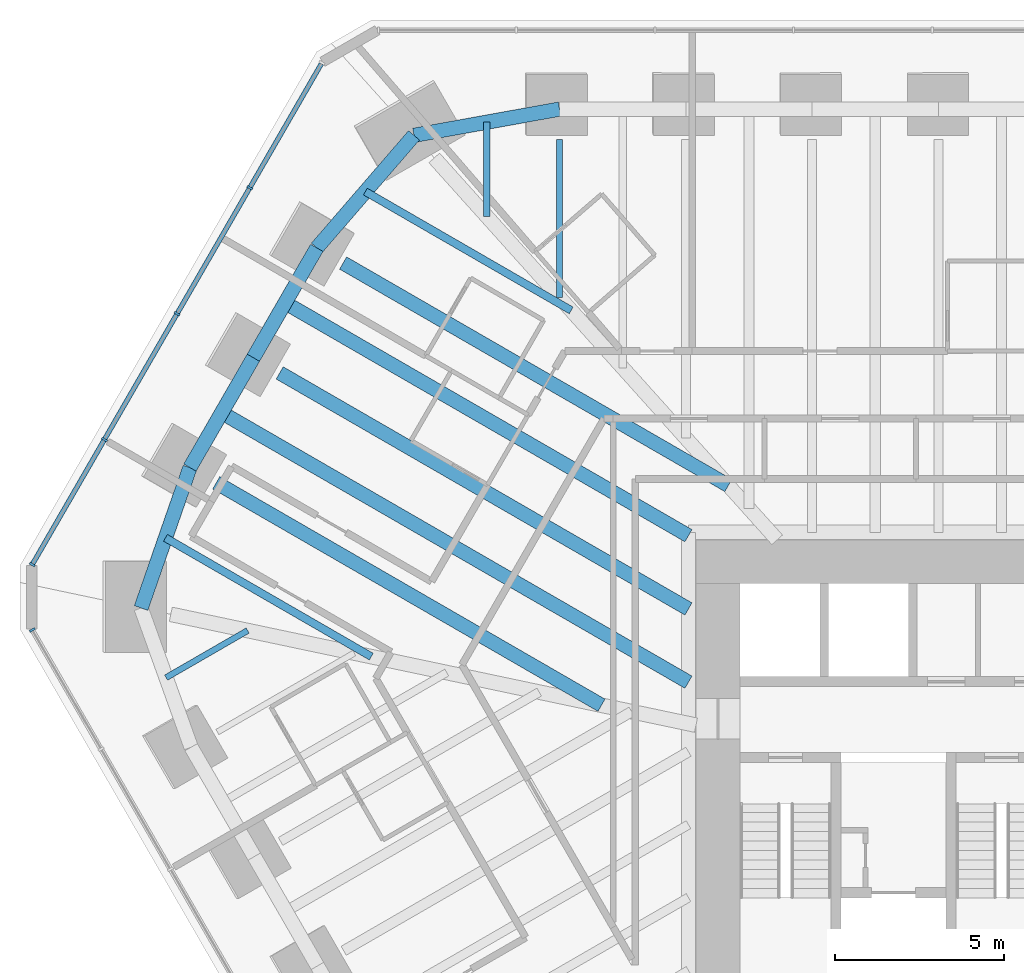
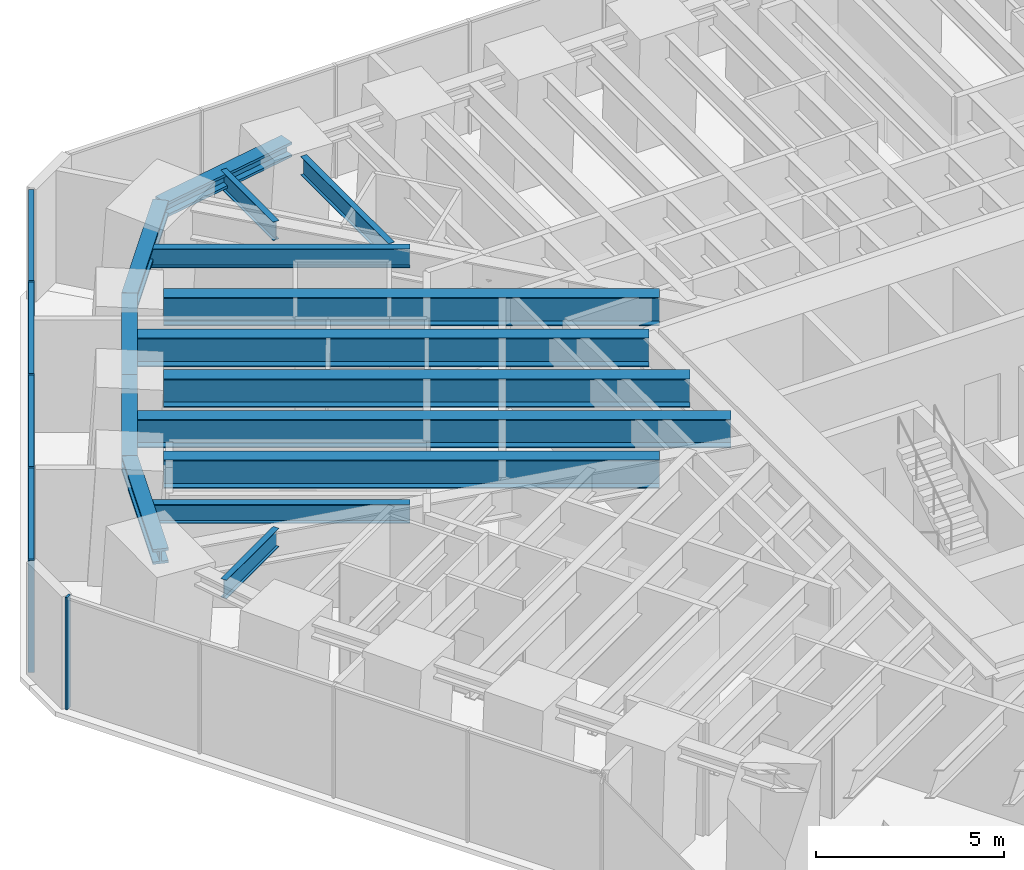
# One storey, part 7 of 17: 15 beams, 9 members, 2 elements without a shape of their own.
"""IFC4 building model written with IfcOpenShell, lengths in metres."""

from ifc_helpers import new_model, si_unit, direction, frame, origin, origin_2d, place, context, subcontext, project, spatial, rectangle, i_section, extrude, material, material_profile, profile_set, type_object, element, aggregate, save


model = new_model("IFC4")

# Units and contexts
model_context = context("Model", 3, precision=1e-05, world=origin(), true_north=direction((0.0, 1.0)))
body_context = subcontext(model_context, "Body", "Model", "MODEL_VIEW")
ifc_project = project(units=[si_unit("LENGTHUNIT", "METRE"), si_unit("AREAUNIT", "SQUARE_METRE"), si_unit("VOLUMEUNIT", "CUBIC_METRE"), si_unit("PLANEANGLEUNIT", "RADIAN"), si_unit("MASSUNIT", "GRAM", prefix="KILO")], contexts=[model_context])

# Site, building, storey
site_placement = place(None, origin())
site = spatial("IfcSite", under=ifc_project, at=site_placement, CompositionType="ELEMENT")
building_placement = place(site_placement, origin())
building = spatial("IfcBuilding", under=site, at=building_placement, Name="Sandreach Pilgrim Tower", CompositionType="ELEMENT")
storey_placement = place(building_placement, frame((0.0, 0.0, 169.0)))
storey = spatial("IfcBuildingStorey", under=building, at=storey_placement, Name="L42", CompositionType="ELEMENT", Elevation=169.0)

# Beams
ifc_material_1 = material(Name="Steel ASTM A913 Grade 65", Category="steel")
ifc_material_profile_1 = material_profile(ifc_material_1, i_section(OverallWidth=0.4267578125, OverallDepth=0.482666015625, WebThickness=0.05126953125, FlangeThickness=0.08154296875, at=origin_2d()), Name="W14X455")
ifc_profile_set_1 = profile_set([ifc_material_profile_1], Name="Steel ASTM A913 Grade 65")
beam_type_1 = type_object("IfcBeamType", Name="Belt truss chord W14X455", PredefinedType="BEAM", material=ifc_profile_set_1)
beam_1_placement = place(storey_placement, frame((-25.482177734375, 5.380126953125, 3.398681640625), z_axis=(0.328610955688, 0.944465372474, 0.0), x_axis=(-0.944465372474, 0.328610955688, 0.0)))
element("IfcBeam", 1, at=beam_1_placement, inside=storey, type_object=beam_type_1, Name="BM L42 BTB35", PredefinedType="BEAM", context=body_context, shape_type="SweptSolid", body=[
    extrude(i_section(OverallWidth=0.4267578125, OverallDepth=0.482666015625, WebThickness=0.05126953125, FlangeThickness=0.08154296875, at=origin_2d()), origin(), (0.0, 0.0, 1.0), 4.402587890625),
])
for number, where, z_axis, x_axis, name in (
    (2, (-24.035400390625, 9.538330078125, 3.398681640625), (0.50000368483, 0.866023276337, 0.0), (-0.866023276337, 0.50000368483, 0.0), "BM L42 BTB36"),
    (3, (-22.15673828125, 12.792236328125, 3.398681640625), (0.50000368483, 0.866023276337, 0.0), (-0.866023276337, 0.50000368483, 0.0), "BM L42 BTB37"),
):
    element("IfcBeam", number, at=place(storey_placement, frame(where, z_axis=z_axis, x_axis=x_axis)), inside=storey, type_object=beam_type_1, Name=name, PredefinedType="BEAM", context=body_context, shape_type="SweptSolid", body=[
        extrude(i_section(OverallWidth=0.4267578125, OverallDepth=0.482666015625, WebThickness=0.05126953125, FlangeThickness=0.08154296875, at=origin_2d()), origin(), (0.0, 0.0, 1.0), 3.75732421875),
    ])
beam_2_placement = place(storey_placement, frame((-20.278076171875, 16.046142578125, 3.398681640625), z_axis=(0.653622757827, 0.756820514026, 0.0), x_axis=(-0.756820514026, 0.653622757827, 0.0)))
element("IfcBeam", 4, at=beam_2_placement, inside=storey, type_object=beam_type_1, Name="BM L42 BTB38", PredefinedType="BEAM", context=body_context, shape_type="SweptSolid", body=[
    extrude(i_section(OverallWidth=0.4267578125, OverallDepth=0.482666015625, WebThickness=0.05126953125, FlangeThickness=0.08154296875, at=origin_2d()), origin(), (0.0, 0.0, 1.0), 4.402587890625),
])
beam_3_placement = place(storey_placement, frame((-17.400390625, 19.378173828125, 3.398681640625), z_axis=(0.984127496172, 0.177462872958, 0.0), x_axis=(-0.177462872958, 0.984127496172, 0.0)))
element("IfcBeam", 5, at=beam_3_placement, inside=storey, type_object=beam_type_1, Name="BM L42 BTB39", PredefinedType="BEAM", context=body_context, shape_type="SweptSolid", body=[
    extrude(i_section(OverallWidth=0.4267578125, OverallDepth=0.482666015625, WebThickness=0.05126953125, FlangeThickness=0.08154296875, at=origin_2d()), origin(), (0.0, 0.0, 1.0), 4.38037109375),
])

# Curtain wall, member
ifc_material_2 = material(Name="Aluminium framed curtain wall", Category="aluminium")
curtain_wall_type = type_object("IfcCurtainWallType", Name="Hotel tower curtain wall", PredefinedType="NOTDEFINED", material=ifc_material_2)
curtain_wall_1_placement = place(storey_placement, origin())
curtain_wall_1 = element("IfcCurtainWall", 6, at=curtain_wall_1_placement, inside=storey, type_object=curtain_wall_type, Name="CW-2 L42 SW", PredefinedType="NOTDEFINED")
ifc_material_3 = material(Name="Aluminium extrusion", Category="aluminium")
ifc_material_profile_2 = material_profile(ifc_material_3, rectangle(XDim=0.06494140625, YDim=0.179931640625, at=origin_2d()), Name="CW-2M 65X180")
ifc_profile_set_2 = profile_set([ifc_material_profile_2], Name="Aluminium extrusion")
member_type_1 = type_object("IfcMemberType", Name="CW-2 mullion", PredefinedType="MULLION", material=ifc_profile_set_2)
member_1_placement = place(storey_placement, frame((-28.70458984375, 4.730224609375, 0.0), z_axis=(0.0, 0.0, 1.0), x_axis=(-0.5, 0.866025403784, 0.0)))
member_1 = element("IfcMember", 7, at=member_1_placement, type_object=member_type_1, Name="CW-2 mullion 10", PredefinedType="MULLION", context=body_context, shape_type="SweptSolid", body=[
    extrude(rectangle(XDim=0.06494140625, YDim=0.179931640625, at=origin_2d()), origin(), (0.0, 0.0, 1.0), 3.639892578125),
])
aggregate(curtain_wall_1, [member_1])

# Curtain wall, members
curtain_wall_2_placement = place(storey_placement, origin())
curtain_wall_2 = element("IfcCurtainWall", 8, at=curtain_wall_2_placement, inside=storey, type_object=curtain_wall_type, Name="CW-2 L42 NW", PredefinedType="NOTDEFINED")
member_2_placement = place(storey_placement, frame((-28.70458984375, 6.66650390625, 0.0), z_axis=(0.0, 0.0, 1.0), x_axis=(0.5, 0.866025403784, 0.0)))
member_2 = element("IfcMember", 9, at=member_2_placement, type_object=member_type_1, Name="CW-2 mullion 1", PredefinedType="MULLION", context=body_context, shape_type="SweptSolid", body=[
    extrude(rectangle(XDim=0.06494140625, YDim=0.179931640625, at=origin_2d()), origin(), (0.0, 0.0, 1.0), 3.639892578125),
])
member_3_placement = place(storey_placement, frame((-26.568115234375, 10.3671875, 0.0), z_axis=(0.0, 0.0, 1.0), x_axis=(0.5, 0.866025403784, 0.0)))
member_3 = element("IfcMember", 10, at=member_3_placement, type_object=member_type_1, Name="CW-2 mullion 2", PredefinedType="MULLION", context=body_context, shape_type="SweptSolid", body=[
    extrude(rectangle(XDim=0.06494140625, YDim=0.179931640625, at=origin_2d()), origin(), (0.0, 0.0, 1.0), 3.639892578125),
])
member_4_placement = place(storey_placement, frame((-24.415283203125, 14.09619140625, 0.0), z_axis=(0.0, 0.0, 1.0), x_axis=(0.5, 0.866025403784, 0.0)))
member_4 = element("IfcMember", 11, at=member_4_placement, type_object=member_type_1, Name="CW-2 mullion 3", PredefinedType="MULLION", context=body_context, shape_type="SweptSolid", body=[
    extrude(rectangle(XDim=0.06494140625, YDim=0.179931640625, at=origin_2d()), origin(), (0.0, 0.0, 1.0), 3.639892578125),
])
member_5_placement = place(storey_placement, frame((-22.262451171875, 17.824951171875, 0.0), z_axis=(0.0, 0.0, 1.0), x_axis=(0.5, 0.866025403784, 0.0)))
member_5 = element("IfcMember", 12, at=member_5_placement, type_object=member_type_1, Name="CW-2 mullion 4", PredefinedType="MULLION", context=body_context, shape_type="SweptSolid", body=[
    extrude(rectangle(XDim=0.06494140625, YDim=0.179931640625, at=origin_2d()), origin(), (0.0, 0.0, 1.0), 3.639892578125),
])
ifc_material_4 = material(Name="Aluminium extrusion", Category="aluminium")
ifc_material_profile_3 = material_profile(ifc_material_4, rectangle(XDim=0.139892578125, YDim=0.070068359375, at=origin_2d()), Name="CW-2T 140X70")
ifc_profile_set_3 = profile_set([ifc_material_profile_3], Name="Aluminium extrusion")
member_type_2 = type_object("IfcMemberType", Name="CW-2 transom", PredefinedType="USERDEFINED", material=ifc_profile_set_3)
member_6_placement = place(storey_placement, frame((-28.6884765625, 6.69482421875, 3.60498046875), z_axis=(0.500038835258, 0.866002981077, 0.0), x_axis=(-0.866002981077, 0.500038835258, 0.0)))
member_6 = element("IfcMember", 13, at=member_6_placement, type_object=member_type_2, Name="CW-2 head transom 1", ObjectType="TRANSOM", PredefinedType="USERDEFINED", context=body_context, shape_type="SweptSolid", body=[
    extrude(rectangle(XDim=0.139892578125, YDim=0.070068359375, at=origin_2d()), origin(), (0.0, 0.0, 1.0), 4.208251953125),
])
member_7_placement = place(storey_placement, frame((-26.5517578125, 10.3955078125, 3.60498046875), z_axis=(0.500021471012, 0.866013007135, 0.0), x_axis=(-0.866013007135, 0.500021471012, 0.0)))
member_7 = element("IfcMember", 14, at=member_7_placement, type_object=member_type_2, Name="CW-2 head transom 2", ObjectType="TRANSOM", PredefinedType="USERDEFINED", context=body_context, shape_type="SweptSolid", body=[
    extrude(rectangle(XDim=0.139892578125, YDim=0.070068359375, at=origin_2d()), origin(), (0.0, 0.0, 1.0), 4.240478515625),
])
member_8_placement = place(storey_placement, frame((-24.39892578125, 14.124267578125, 3.60498046875), z_axis=(0.499996541496, 0.866027400544, 0.0), x_axis=(-0.866027400544, 0.499996541496, 0.0)))
member_8 = element("IfcMember", 15, at=member_8_placement, type_object=member_type_2, Name="CW-2 head transom 3", ObjectType="TRANSOM", PredefinedType="USERDEFINED", context=body_context, shape_type="SweptSolid", body=[
    extrude(rectangle(XDim=0.139892578125, YDim=0.070068359375, at=origin_2d()), origin(), (0.0, 0.0, 1.0), 4.24072265625),
])
member_9_placement = place(storey_placement, frame((-22.24609375, 17.85302734375, 3.60498046875), z_axis=(0.49997020258, 0.86604260665, 0.0), x_axis=(-0.86604260665, 0.49997020258, 0.0)))
member_9 = element("IfcMember", 16, at=member_9_placement, type_object=member_type_2, Name="CW-2 head transom 4", ObjectType="TRANSOM", PredefinedType="USERDEFINED", context=body_context, shape_type="SweptSolid", body=[
    extrude(rectangle(XDim=0.139892578125, YDim=0.070068359375, at=origin_2d()), origin(), (0.0, 0.0, 1.0), 4.208251953125),
])
aggregate(curtain_wall_2, [member_2, member_3, member_4, member_5, member_6, member_7, member_8, member_9])

# Beams
ifc_material_5 = material(Name="Steel ASTM A992 Grade 50", Category="steel")
ifc_material_profile_4 = material_profile(ifc_material_5, i_section(OverallWidth=0.1787109375, OverallDepth=0.60205078125, WebThickness=0.010986328125, FlangeThickness=0.014892578125, at=origin_2d()), Name="W24X62")
ifc_profile_set_4 = profile_set([ifc_material_profile_4], Name="Steel ASTM A992 Grade 50")
beam_type_2 = type_object("IfcBeamType", Name="Floor beam W24X62", PredefinedType="BEAM", material=ifc_profile_set_4)
beam_4_placement = place(storey_placement, frame((-13.089599609375, 19.255615234375, 3.339111328125), z_axis=(0.0, -1.0, 0.0), x_axis=(1.0, 0.0, 0.0)))
element("IfcBeam", 17, at=beam_4_placement, inside=storey, type_object=beam_type_2, Name="BM L42 F01", PredefinedType="BEAM", context=body_context, shape_type="SweptSolid", body=[
    extrude(i_section(OverallWidth=0.1787109375, OverallDepth=0.60205078125, WebThickness=0.010986328125, FlangeThickness=0.014892578125, at=origin_2d()), origin(), (0.0, 0.0, 1.0), 4.67822265625),
])
for number, where, z_axis, x_axis, name in (
    (18, (-24.740966796875, 3.319091796875, 3.339111328125), (0.866015025668, 0.500017974994, 0.0), (-0.500017974994, 0.866015025668, 0.0), "BM L42 FM34"),
    (19, (-15.2451171875, 19.766845703125, 3.339111328125), (0.0, -1.0, 0.0), (1.0, 0.0, 0.0), "BM L42 FM39"),
):
    element("IfcBeam", number, at=place(storey_placement, frame(where, z_axis=z_axis, x_axis=x_axis)), inside=storey, type_object=beam_type_2, Name=name, PredefinedType="BEAM", context=body_context, shape_type="SweptSolid", body=[
        extrude(i_section(OverallWidth=0.1787109375, OverallDepth=0.60205078125, WebThickness=0.010986328125, FlangeThickness=0.014892578125, at=origin_2d()), origin(), (0.0, 0.0, 1.0), 2.7890625),
    ])
ifc_material_6 = material(Name="Steel ASTM A992 Grade 50", Category="steel")
ifc_material_profile_5 = material_profile(ifc_material_6, i_section(OverallWidth=0.23046875, OverallDepth=0.6171875, WebThickness=0.01318359375, FlangeThickness=0.022216796875, at=origin_2d()), Name="W24X94")
ifc_profile_set_5 = profile_set([ifc_material_profile_5], Name="Steel ASTM A992 Grade 50")
beam_type_3 = type_object("IfcBeamType", Name="Floor beam W24X94", PredefinedType="BEAM", material=ifc_profile_set_5)
for number, where, z_axis, x_axis, name in (
    (20, (-24.7587890625, 7.459228515625, 3.331298828125), (0.866022660904, -0.500004750779, 0.0), (0.500004750779, 0.866022660904, 0.0), "BM L42 FM35"),
    (21, (-18.83935546875, 17.712158203125, 3.331298828125), (0.866022660904, -0.500004750779, 0.0), (0.500004750779, 0.866022660904, 0.0), "BM L42 FM38"),
):
    element("IfcBeam", number, at=place(storey_placement, frame(where, z_axis=z_axis, x_axis=x_axis)), inside=storey, type_object=beam_type_3, Name=name, PredefinedType="BEAM", context=body_context, shape_type="SweptSolid", body=[
        extrude(i_section(OverallWidth=0.23046875, OverallDepth=0.6171875, WebThickness=0.01318359375, FlangeThickness=0.022216796875, at=origin_2d()), origin(), (0.0, 0.0, 1.0), 7.037109375),
    ])
ifc_material_7 = material(Name="Steel ASTM A992 Grade 50", Category="steel")
ifc_material_profile_6 = material_profile(ifc_material_7, i_section(OverallWidth=0.419189453125, OverallDepth=0.927001953125, WebThickness=0.019287109375, FlangeThickness=0.031982421875, at=origin_2d()), Name="W36X231")
ifc_profile_set_6 = profile_set([ifc_material_profile_6], Name="Steel ASTM A992 Grade 50")
beam_type_4 = type_object("IfcBeamType", Name="Floor beam W36X231", PredefinedType="BEAM", material=ifc_profile_set_6)
beam_5_placement = place(storey_placement, frame((-23.255859375, 9.08837890625, 3.176513671875), z_axis=(0.866018626374, -0.500011738636, 0.0), x_axis=(0.500011738636, 0.866018626374, 0.0)))
element("IfcBeam", 22, at=beam_5_placement, inside=storey, type_object=beam_type_4, Name="BM L42 F36", PredefinedType="BEAM", context=body_context, shape_type="SweptSolid", body=[
    extrude(i_section(OverallWidth=0.419189453125, OverallDepth=0.927001953125, WebThickness=0.019287109375, FlangeThickness=0.031982421875, at=origin_2d()), origin(), (0.0, 0.0, 1.0), 13.174072265625),
])
beam_6_placement = place(storey_placement, frame((-21.377197265625, 12.34228515625, 3.176513671875), z_axis=(0.866023576522, -0.500003164897, 0.0), x_axis=(0.500003164897, 0.866023576522, 0.0)))
element("IfcBeam", 23, at=beam_6_placement, inside=storey, type_object=beam_type_4, Name="BM L42 F37", PredefinedType="BEAM", context=body_context, shape_type="SweptSolid", body=[
    extrude(i_section(OverallWidth=0.419189453125, OverallDepth=0.927001953125, WebThickness=0.019287109375, FlangeThickness=0.031982421875, at=origin_2d()), origin(), (0.0, 0.0, 1.0), 13.97802734375),
])
beam_7_placement = place(storey_placement, frame((-19.49853515625, 15.59619140625, 3.176513671875), z_axis=(0.866018626374, -0.500011738636, 0.0), x_axis=(0.500011738636, 0.866018626374, 0.0)))
element("IfcBeam", 24, at=beam_7_placement, inside=storey, type_object=beam_type_4, Name="BM L42 F38", PredefinedType="BEAM", context=body_context, shape_type="SweptSolid", body=[
    extrude(i_section(OverallWidth=0.419189453125, OverallDepth=0.927001953125, WebThickness=0.019287109375, FlangeThickness=0.031982421875, at=origin_2d()), origin(), (0.0, 0.0, 1.0), 13.174072265625),
])
beam_8_placement = place(storey_placement, frame((-23.095947265625, 11.165283203125, 3.176513671875), z_axis=(0.866027419034, -0.499996509469, 0.0), x_axis=(0.499996509469, 0.866027419034, 0.0)))
element("IfcBeam", 25, at=beam_8_placement, inside=storey, type_object=beam_type_4, Name="BM L42 FM36", PredefinedType="BEAM", context=body_context, shape_type="SweptSolid", body=[
    extrude(i_section(OverallWidth=0.419189453125, OverallDepth=0.927001953125, WebThickness=0.019287109375, FlangeThickness=0.031982421875, at=origin_2d()), origin(), (0.0, 0.0, 1.0), 15.96240234375),
])
beam_9_placement = place(storey_placement, frame((-21.21728515625, 14.419189453125, 3.176513671875), z_axis=(0.866022291841, -0.500005390006, 0.0), x_axis=(0.500005390006, 0.866022291841, 0.0)))
element("IfcBeam", 26, at=beam_9_placement, inside=storey, type_object=beam_type_4, Name="BM L42 FM37", PredefinedType="BEAM", context=body_context, shape_type="SweptSolid", body=[
    extrude(i_section(OverallWidth=0.419189453125, OverallDepth=0.927001953125, WebThickness=0.019287109375, FlangeThickness=0.031982421875, at=origin_2d()), origin(), (0.0, 0.0, 1.0), 13.793212890625),
])

save(model, "model.ifc")
